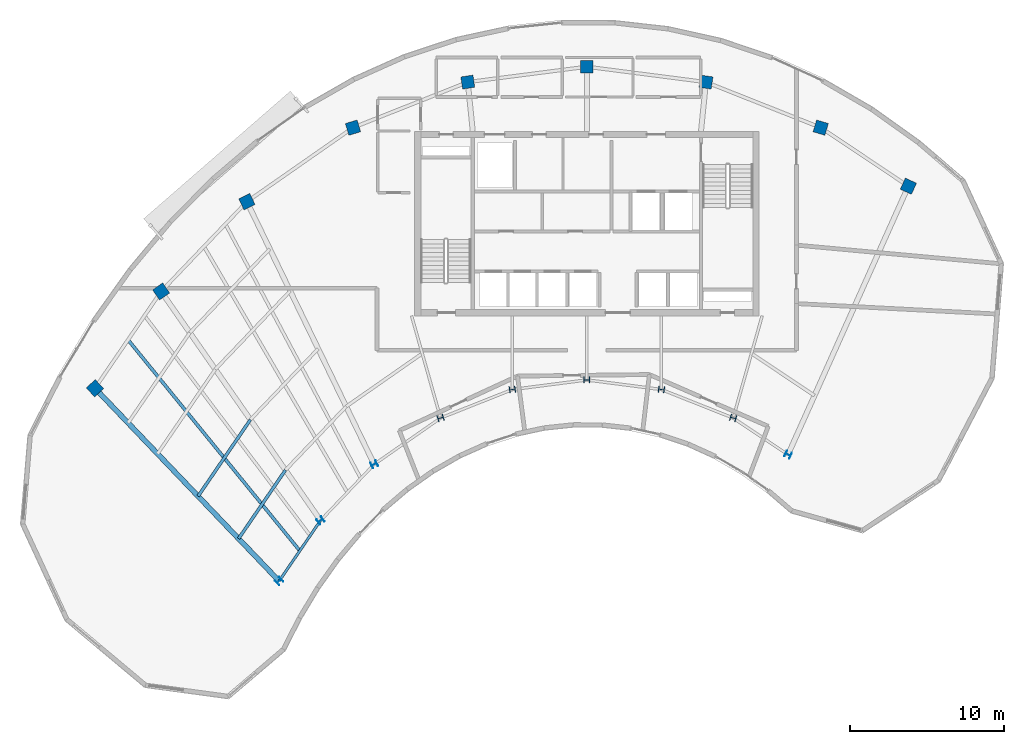
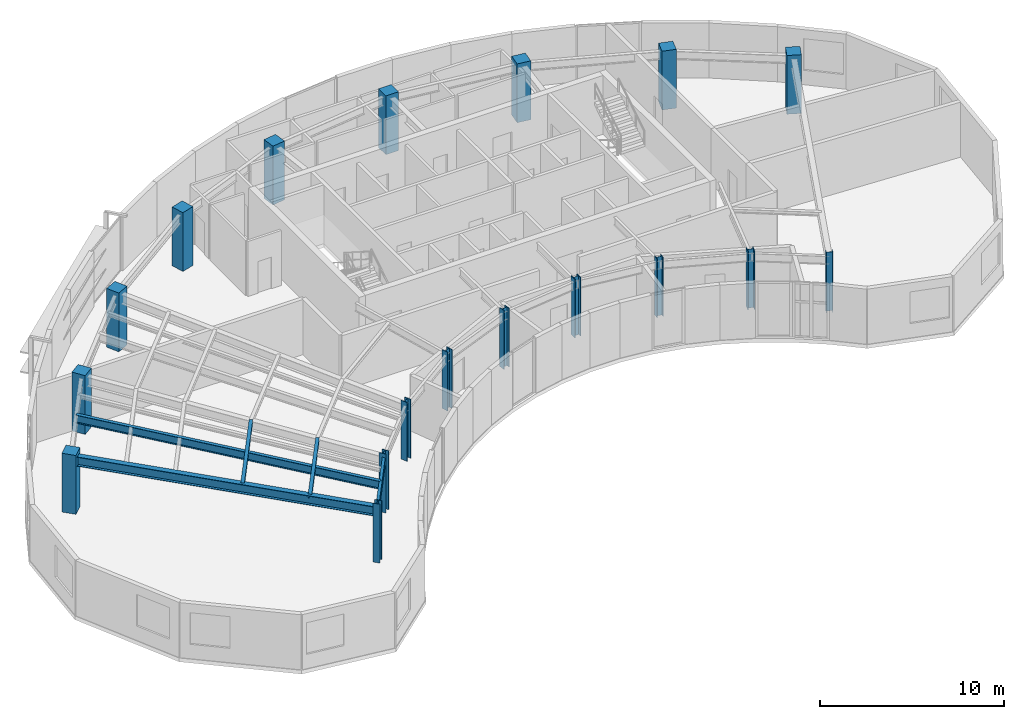
# One storey, part 1 of 12: 18 columns, 5 beams.
"""IFC4 building model written with IfcOpenShell, lengths in metres."""

from ifc_helpers import new_model, si_unit, direction, frame, origin, origin_2d, place, context, subcontext, project, spatial, rectangle, i_section, extrude, source, transform, mapped, material, material_profile, profile_set, type_object, type_shapes, element, save


model = new_model("IFC4")

# Units and contexts
model_context = context("Model", 3, precision=1e-05, world=origin(), true_north=direction((0.0, 1.0)))
body_context = subcontext(model_context, "Body", "Model", "MODEL_VIEW")
ifc_project = project(units=[si_unit("LENGTHUNIT", "METRE"), si_unit("AREAUNIT", "SQUARE_METRE"), si_unit("VOLUMEUNIT", "CUBIC_METRE"), si_unit("PLANEANGLEUNIT", "RADIAN"), si_unit("MASSUNIT", "GRAM", prefix="KILO")], contexts=[model_context])

# Site, building, storey
site_placement = place(None, origin())
site = spatial("IfcSite", under=ifc_project, at=site_placement, CompositionType="ELEMENT")
building_placement = place(site_placement, origin())
building = spatial("IfcBuilding", under=site, at=building_placement, Name="Breltana Convention Tower", CompositionType="ELEMENT")
storey_placement = place(building_placement, frame((0.0, 0.0, 264.0)))
storey = spatial("IfcBuildingStorey", under=building, at=storey_placement, Name="L64", CompositionType="ELEMENT", Elevation=264.0)

# Columns
ifc_material_1 = material(Name="Steel ASTM A992 Grade 50", Category="steel")
ifc_material_profile_1 = material_profile(ifc_material_1, i_section(OverallWidth=0.39892578125, OverallDepth=0.386962890625, WebThickness=0.02099609375, FlangeThickness=0.033203125, at=origin_2d()), Name="W14X176")
ifc_profile_set_1 = profile_set([ifc_material_profile_1], Name="Steel ASTM A992 Grade 50")
column_type_1 = type_object("IfcColumnType", Name="COL-STL-W14X176", PredefinedType="COLUMN", material=ifc_profile_set_1)
shared_shape_1 = source(origin(), body_context, "Body", "SweptSolid", [
    extrude(i_section(OverallWidth=0.39892578125, OverallDepth=0.386962890625, WebThickness=0.02099609375, FlangeThickness=0.033203125, at=origin_2d()), origin(), (0.0, 0.0, 1.0), 3.89990234375),
])
type_shapes(column_type_1, [shared_shape_1])
for number, where, z_axis, x_axis, name in (
    (1, (27.984619140625, 42.95458984375, 0.0), (0.0, 0.0, 1.0), (-0.690756218984, 0.723087716626, 0.0), "L64 Tower Column R01-IN"),
    (2, (30.67724609375, 46.892333984375, 0.0), (0.0, 0.0, 1.0), (-0.571143442153, 0.820850271661, 0.0), "L64 Tower Column R02-IN"),
    (3, (34.166259765625, 50.544921875, 0.0), (0.0, 0.0, 1.0), (-0.436173672171, 0.899862504889, 0.0), "L64 Tower Column R03-IN"),
    (4, (38.485107421875, 53.5576171875, 0.0), (0.0, 0.0, 1.0), (-0.288697611798, 0.957420330337, 0.0), "L64 Tower Column R04-IN"),
    (5, (43.153564453125, 55.41064453125, 0.0), (0.0, 0.0, 1.0), (-0.143492621991, 0.98965138682, 0.0), "L64 Tower Column R05-IN"),
    (6, (48.0, 56.035888671875, 0.0), (0.0, 0.0, 1.0), (0.0, 1.0, 0.0), "L64 Tower Column R06-IN"),
    (7, (52.846435546875, 55.41064453125, 0.0), (0.0, 0.0, 1.0), (0.143492621991, 0.98965138682, 0.0), "L64 Tower Column R07-IN"),
    (8, (57.514892578125, 53.5576171875, 0.0), (0.0, 0.0, 1.0), (0.288697611798, 0.957420330337, 0.0), "L64 Tower Column R08-IN"),
    (9, (61.08203125, 51.174560546875, 0.0), (0.0, 0.0, 1.0), (0.409126902895, 0.912477494148, 0.0), "L64 Tower Column R09-IN"),
):
    element("IfcColumn", number, at=place(storey_placement, frame(where, z_axis=z_axis, x_axis=x_axis)), inside=storey, type_object=column_type_1, Name=name, PredefinedType="COLUMN", context=body_context, shape_type="MappedRepresentation", body=[
        mapped(shared_shape_1, transform((0.0, 0.0, 0.0), scale=1.0)),
    ])
ifc_material_2 = material(Name="Concrete C50/60", Category="concrete")
ifc_material_profile_2 = material_profile(ifc_material_2, rectangle(XDim=0.800048828125, YDim=0.800048828125, at=origin_2d()), Name="RC-COL-800X800")
ifc_profile_set_2 = profile_set([ifc_material_profile_2], Name="Concrete C50/60")
column_type_2 = type_object("IfcColumnType", Name="COL-RC-800", PredefinedType="COLUMN", material=ifc_profile_set_2)
shared_shape_2 = source(origin(), body_context, "Body", "SweptSolid", [
    extrude(rectangle(XDim=0.800048828125, YDim=0.800048828125, at=origin_2d()), origin(), (0.0, 0.0, 1.0), 3.89990234375),
])
for number, where, z_axis, x_axis, name in (
    (10, (16.0068359375, 55.494384765625, 0.0), (0.0, 0.0, 1.0), (-0.690756218984, 0.723087716626, 0.0), "L64 Tower Column R01-OUT"),
    (11, (20.310791015625, 61.78857421875, 0.0), (0.0, 0.0, 1.0), (-0.571143442153, 0.820850271661, 0.0), "L64 Tower Column R02-OUT"),
    (12, (25.8876953125, 67.626953125, 0.0), (0.0, 0.0, 1.0), (-0.436173672171, 0.899862504889, 0.0), "L64 Tower Column R03-OUT"),
    (13, (32.791015625, 72.4423828125, 0.0), (0.0, 0.0, 1.0), (-0.288697611798, 0.957420330337, 0.0), "L64 Tower Column R04-OUT"),
    (14, (40.253173828125, 75.404296875, 0.0), (0.0, 0.0, 1.0), (-0.143492621991, 0.98965138682, 0.0), "L64 Tower Column R05-OUT"),
    (15, (48.0, 76.404052734375, 0.0), (0.0, 0.0, 1.0), (0.0, 1.0, 0.0), "L64 Tower Column R06-OUT"),
    (16, (55.746826171875, 75.404296875, 0.0), (0.0, 0.0, 1.0), (0.143492621991, 0.98965138682, 0.0), "L64 Tower Column R07-OUT"),
    (17, (63.208984375, 72.4423828125, 0.0), (0.0, 0.0, 1.0), (0.288697611798, 0.957420330337, 0.0), "L64 Tower Column R08-OUT"),
    (18, (68.910400390625, 68.63330078125, 0.0), (0.0, 0.0, 1.0), (0.409126902895, 0.912477494148, 0.0), "L64 Tower Column R09-OUT"),
):
    element("IfcColumn", number, at=place(storey_placement, frame(where, z_axis=z_axis, x_axis=x_axis)), inside=storey, type_object=column_type_2, Name=name, PredefinedType="COLUMN", context=body_context, shape_type="MappedRepresentation", body=[
        mapped(shared_shape_2, transform((0.0, 0.0, 0.0), scale=1.0)),
    ])

# Beams
ifc_material_profile_3 = material_profile(ifc_material_1, i_section(OverallWidth=0.166015625, OverallDepth=0.534912109375, WebThickness=0.01025390625, FlangeThickness=0.0166015625, at=origin_2d()), Name="W21X57")
ifc_profile_set_3 = profile_set([ifc_material_profile_3], Name="Steel ASTM A992 Grade 50")
beam_type_1 = type_object("IfcBeamType", Name="BM-BM-W21X57", PredefinedType="BEAM", material=ifc_profile_set_3)
shared_shape_3 = source(origin(), body_context, "Body", "SweptSolid", [
    extrude(i_section(OverallWidth=0.166015625, OverallDepth=0.534912109375, WebThickness=0.01025390625, FlangeThickness=0.0166015625, at=origin_2d()), origin(), (0.0, 0.0, 1.0), 4.770263671875),
])
beam_1_placement = place(storey_placement, frame((27.984619140625, 42.95458984375, 3.382568359375), z_axis=(0.564452719055, 0.82546540082, 0.0), x_axis=(-0.82546540082, 0.564452719055, 0.0)))
element("IfcBeam", 19, at=beam_1_placement, inside=storey, type_object=beam_type_1, Name="L64 Inner Ring Beam 01", PredefinedType="BEAM", context=body_context, shape_type="MappedRepresentation", body=[
    mapped(shared_shape_3, transform((0.0, 0.0, 0.0), scale=1.0)),
])
ifc_material_profile_4 = material_profile(ifc_material_1, i_section(OverallWidth=0.201904296875, OverallDepth=0.2470703125, WebThickness=0.00732421875, FlangeThickness=0.010986328125, at=origin_2d()), Name="W10X33")
ifc_profile_set_4 = profile_set([ifc_material_profile_4], Name="Steel ASTM A992 Grade 50")
beam_type_2 = type_object("IfcBeamType", Name="BM-JSG-11", PredefinedType="JOIST", material=ifc_profile_set_4)
shared_shape_4 = source(origin(), body_context, "Body", "SweptSolid", [
    extrude(i_section(OverallWidth=0.201904296875, OverallDepth=0.2470703125, WebThickness=0.00732421875, FlangeThickness=0.010986328125, at=origin_2d()), origin(), (0.0, 0.0, 1.0), 5.3984375),
])
beam_2_placement = place(storey_placement, frame((25.349365234375, 45.71337890625, 3.526611328125), z_axis=(0.564440705434, 0.825473615599, 0.0), x_axis=(-0.825473615599, 0.564440705434, 0.0)))
element("IfcBeam", 20, at=beam_2_placement, inside=storey, type_object=beam_type_2, Name="L64 Composite Floor Joist 01.1", PredefinedType="JOIST", context=body_context, shape_type="MappedRepresentation", body=[
    mapped(shared_shape_4, transform((0.0, 0.0, 0.0), scale=1.0)),
])
shared_shape_5 = source(origin(), body_context, "Body", "SweptSolid", [
    extrude(i_section(OverallWidth=0.201904296875, OverallDepth=0.2470703125, WebThickness=0.00732421875, FlangeThickness=0.010986328125, at=origin_2d()), origin(), (0.0, 0.0, 1.0), 6.0263671875),
])
beam_3_placement = place(storey_placement, frame((22.71435546875, 48.47216796875, 3.526611328125), z_axis=(0.564450071397, 0.825467211281, 0.0), x_axis=(-0.825467211281, 0.564450071397, 0.0)))
element("IfcBeam", 21, at=beam_3_placement, inside=storey, type_object=beam_type_2, Name="L64 Composite Floor Joist 01.2", PredefinedType="JOIST", context=body_context, shape_type="MappedRepresentation", body=[
    mapped(shared_shape_5, transform((0.0, 0.0, 0.0), scale=1.0)),
])
ifc_material_profile_5 = material_profile(ifc_material_1, i_section(OverallWidth=0.2099609375, OverallDepth=0.537109375, WebThickness=0.010986328125, FlangeThickness=0.017333984375, at=origin_2d()), Name="W21X68")
ifc_profile_set_5 = profile_set([ifc_material_profile_5], Name="Steel ASTM A992 Grade 50")
beam_type_3 = type_object("IfcBeamType", Name="BM-JSG-04", PredefinedType="JOIST", material=ifc_profile_set_5)
shared_shape_6 = source(origin(), body_context, "Body", "SweptSolid", [
    extrude(i_section(OverallWidth=0.2099609375, OverallDepth=0.537109375, WebThickness=0.010986328125, FlangeThickness=0.017333984375, at=origin_2d()), origin(), (0.0, 0.0, 1.0), 17.691650390625),
])
beam_4_placement = place(storey_placement, frame((29.330810546875, 44.923583984375, 3.381591796875), z_axis=(-0.631476958478, 0.775394642044, 0.0), x_axis=(-0.775394642044, -0.631476958478, 0.0)))
element("IfcBeam", 22, at=beam_4_placement, inside=storey, type_object=beam_type_3, Name="L64 Mid-Bay Radial Trimmer 01", PredefinedType="JOIST", context=body_context, shape_type="MappedRepresentation", body=[
    mapped(shared_shape_6, transform((0.0, 0.0, 0.0), scale=1.0)),
])
ifc_material_profile_6 = material_profile(ifc_material_1, i_section(OverallWidth=0.326904296875, OverallDepth=0.6220703125, WebThickness=0.015380859375, FlangeThickness=0.0244140625, at=origin_2d()), Name="W24X131")
ifc_profile_set_6 = profile_set([ifc_material_profile_6], Name="Steel ASTM A992 Grade 50")
beam_type_4 = type_object("IfcBeamType", Name="BM-RG-W24X131", PredefinedType="USERDEFINED", material=ifc_profile_set_6)
shared_shape_7 = source(origin(), body_context, "Body", "SweptSolid", [
    extrude(i_section(OverallWidth=0.326904296875, OverallDepth=0.6220703125, WebThickness=0.015380859375, FlangeThickness=0.0244140625, at=origin_2d()), origin(), (0.0, 0.0, 1.0), 17.341064453125),
])
type_shapes(beam_type_4, [shared_shape_7])
beam_5_placement = place(storey_placement, frame((27.984619140625, 42.95458984375, 3.339111328125), z_axis=(-0.690716462293, 0.723125693581, 0.0), x_axis=(-0.723125693581, -0.690716462293, 0.0)))
element("IfcBeam", 23, at=beam_5_placement, inside=storey, type_object=beam_type_4, Name="L64 Radial Floor Girder R01", ObjectType="GIRDER", PredefinedType="USERDEFINED", context=body_context, shape_type="MappedRepresentation", body=[
    mapped(shared_shape_7, transform((0.0, 0.0, 0.0), scale=1.0)),
])

save(model, "model.ifc")
